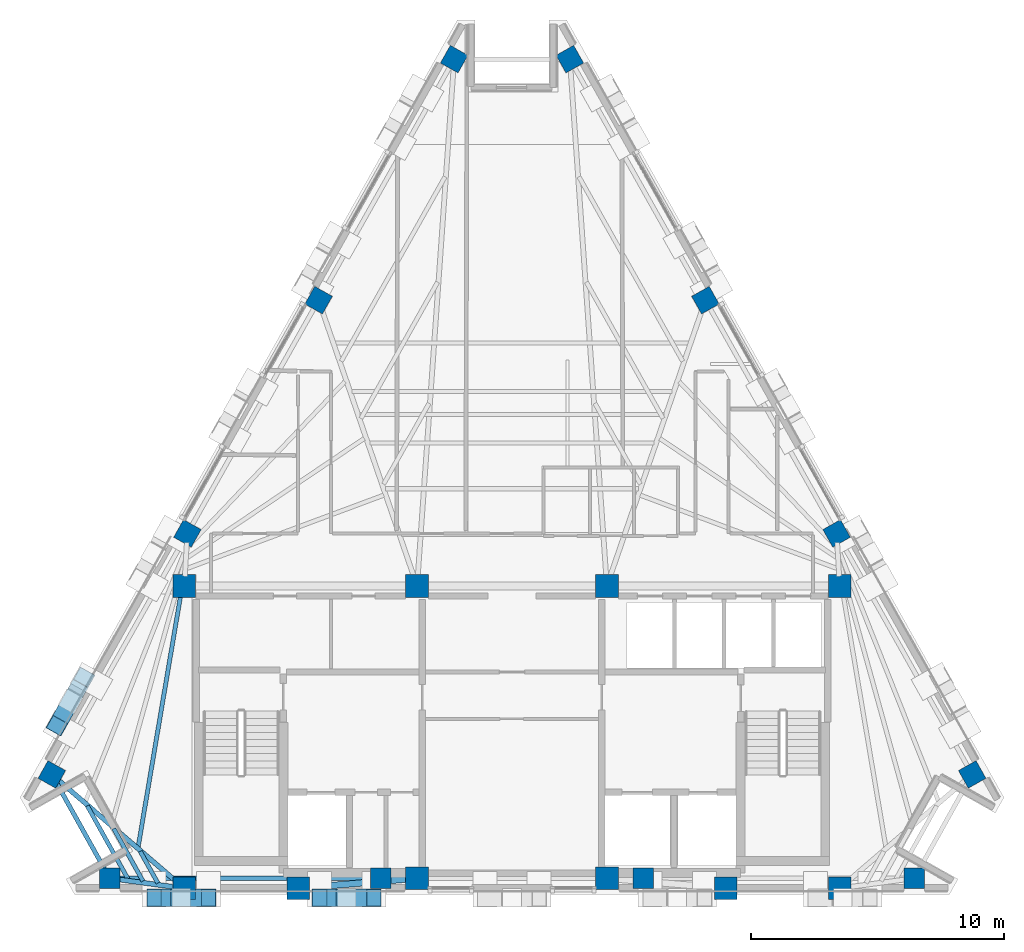
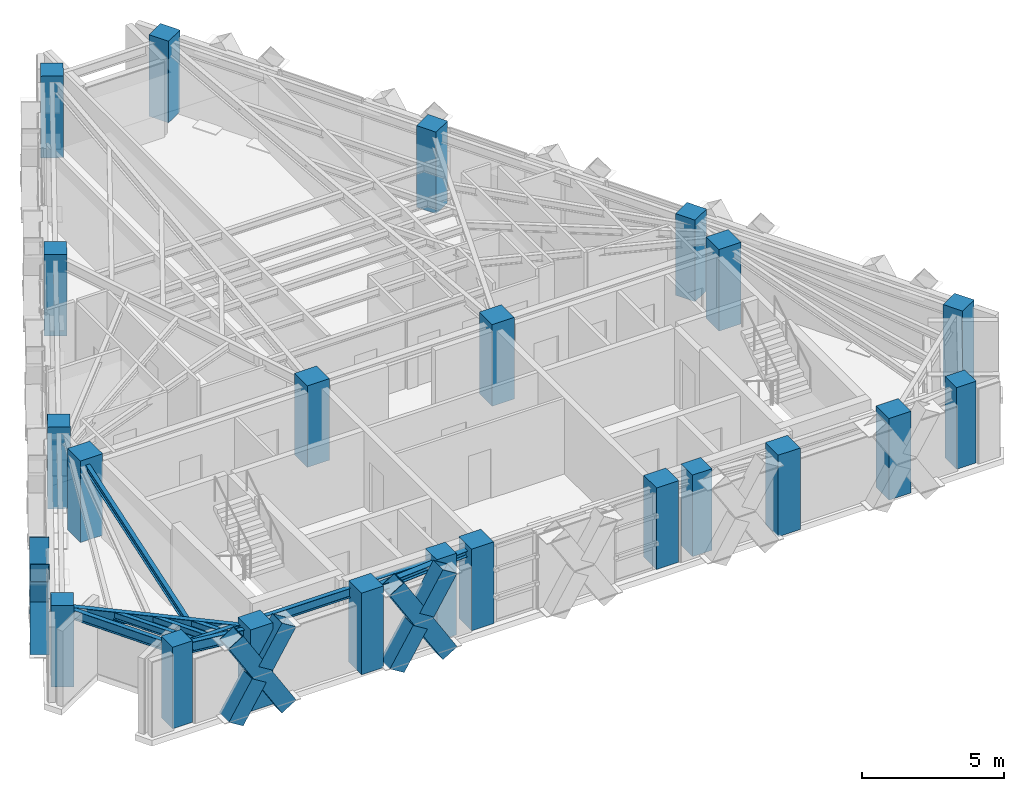
# One storey, part 1 of 10: 22 columns, 9 beams, 8 members.
"""IFC4 building model written with IfcOpenShell, lengths in metres."""

from ifc_helpers import new_model, si_unit, direction, frame, origin, origin_2d, place, context, subcontext, project, spatial, rectangle, hollow_rectangle, i_section, extrude, material, material_profile, profile_set, type_object, element, save


model = new_model("IFC4")

# Units and contexts
model_context = context("Model", 3, precision=1e-05, world=origin(), true_north=direction((0.0, 1.0)))
body_context = subcontext(model_context, "Body", "Model", "MODEL_VIEW")
ifc_project = project(units=[si_unit("LENGTHUNIT", "METRE"), si_unit("AREAUNIT", "SQUARE_METRE"), si_unit("VOLUMEUNIT", "CUBIC_METRE"), si_unit("PLANEANGLEUNIT", "RADIAN"), si_unit("MASSUNIT", "GRAM", prefix="KILO")], contexts=[model_context])

# Site, building, storey
site_placement = place(None, origin())
site = spatial("IfcSite", under=ifc_project, at=site_placement, CompositionType="ELEMENT")
building_placement = place(site_placement, origin())
building = spatial("IfcBuilding", under=site, at=building_placement, Name="Quenlor Broadcast Tower", CompositionType="ELEMENT")
storey_placement = place(building_placement, frame((0.0, 0.0, 232.39990234375)))
storey = spatial("IfcBuildingStorey", under=building, at=storey_placement, Name="L64", CompositionType="ELEMENT", Elevation=232.39990234375)

# Columns
ifc_material_1 = material(Name="Concrete C50/60", Category="concrete")
ifc_material_profile_1 = material_profile(ifc_material_1, rectangle(XDim=0.89990234375, YDim=0.89990234375, at=origin_2d()))
ifc_profile_set_1 = profile_set([ifc_material_profile_1], Name="Concrete C50/60 RC900x900")
column_type_1 = type_object("IfcColumnType", Name="Core Corner Column Upper Concrete C50/60 900", PredefinedType="COLUMN", material=ifc_profile_set_1)
for number, where, z_axis, x_axis, name in (
    (1, (-12.949951171875, -16.75, 0.0), (0.0, 0.0, 1.0), (1.0, 0.0, 0.0), "L64 Core Column CC1"),
    (2, (-8.449951171875, -16.75, 0.0), (0.0, 0.0, 1.0), (1.0, 0.0, 0.0), "L64 Core Column CC2"),
    (3, (-3.75, -16.35009765625, 0.0), (0.0, 0.0, 1.0), (1.0, 0.0, 0.0), "L64 Core Column CC3"),
    (4, (3.75, -16.35009765625, 0.0), (0.0, 0.0, 1.0), (1.0, 0.0, 0.0), "L64 Core Column CC4"),
    (5, (8.449951171875, -16.75, 0.0), (0.0, 0.0, 1.0), (1.0, 0.0, 0.0), "L64 Core Column CC5"),
    (6, (12.949951171875, -16.75, 0.0), (0.0, 0.0, 1.0), (1.0, 0.0, 0.0), "L64 Core Column CC6"),
    (7, (-12.949951171875, -4.800048828125, 0.0), (0.0, 0.0, 1.0), (1.0, 0.0, 0.0), "L64 Core Column CC7"),
    (8, (-3.75, -4.800048828125, 0.0), (0.0, 0.0, 1.0), (1.0, 0.0, 0.0), "L64 Core Column CC8"),
    (9, (3.75, -4.800048828125, 0.0), (0.0, 0.0, 1.0), (1.0, 0.0, 0.0), "L64 Core Column CC9"),
    (10, (12.949951171875, -4.800048828125, 0.0), (0.0, 0.0, 1.0), (1.0, 0.0, 0.0), "L64 Core Column CC10"),
):
    element("IfcColumn", number, at=place(storey_placement, frame(where, z_axis=z_axis, x_axis=x_axis)), inside=storey, type_object=column_type_1, Name=name, PredefinedType="COLUMN", context=body_context, shape_type="SweptSolid", body=[
        extrude(rectangle(XDim=0.89990234375, YDim=0.89990234375, at=origin_2d()), origin(), (0.0, 0.0, 1.0), 3.5),
    ])
ifc_material_2 = material(Name="Concrete C50/60", Category="concrete")
ifc_material_profile_2 = material_profile(ifc_material_2, rectangle(XDim=0.800048828125, YDim=0.800048828125, at=origin_2d()))
ifc_profile_set_2 = profile_set([ifc_material_profile_2], Name="Concrete C50/60 RC800x800")
column_type_2 = type_object("IfcColumnType", Name="Tower Perimeter Column Z5 Concrete C50/60 800", PredefinedType="COLUMN", material=ifc_profile_set_2)
for number, where, z_axis, x_axis, name in (
    (11, (-15.897705078125, -16.35009765625, 0.0), (0.0, 0.0, 1.0), (0.0, 1.0, 0.0), "L64 Perimeter Column S1"),
    (12, (-5.18408203125, -16.35009765625, 0.0), (0.0, 0.0, 1.0), (0.0, 1.0, 0.0), "L64 Perimeter Column S2"),
    (13, (5.18408203125, -16.35009765625, 0.0), (0.0, 0.0, 1.0), (0.0, 1.0, 0.0), "L64 Perimeter Column S3"),
    (14, (15.897705078125, -16.35009765625, 0.0), (0.0, 0.0, 1.0), (0.0, 1.0, 0.0), "L64 Perimeter Column S4"),
    (15, (18.182373046875, -12.25, 0.0), (0.0, 0.0, 1.0), (0.871575139605, 0.490261946333, 0.0), "L64 Perimeter Column NE1"),
    (16, (12.825439453125, -2.726806640625, 0.0), (0.0, 0.0, 1.0), (0.871575139605, 0.490261946333, 0.0), "L64 Perimeter Column NE2"),
    (17, (7.6416015625, 6.4892578125, 0.0), (0.0, 0.0, 1.0), (0.871575139605, 0.490261946333, 0.0), "L64 Perimeter Column NE3"),
    (18, (2.28466796875, 16.012451171875, 0.0), (0.0, 0.0, 1.0), (0.871575139605, 0.490261946333, 0.0), "L64 Perimeter Column NE4"),
    (19, (-2.28466796875, 16.012451171875, 0.0), (0.0, 0.0, 1.0), (-0.871575139605, 0.490261946333, 0.0), "L64 Perimeter Column NW1"),
    (20, (-7.6416015625, 6.4892578125, 0.0), (0.0, 0.0, 1.0), (-0.871575139605, 0.490261946333, 0.0), "L64 Perimeter Column NW2"),
    (21, (-12.825439453125, -2.726806640625, 0.0), (0.0, 0.0, 1.0), (-0.871575139605, 0.490261946333, 0.0), "L64 Perimeter Column NW3"),
    (22, (-18.182373046875, -12.25, 0.0), (0.0, 0.0, 1.0), (-0.871575139605, 0.490261946333, 0.0), "L64 Perimeter Column NW4"),
):
    element("IfcColumn", number, at=place(storey_placement, frame(where, z_axis=z_axis, x_axis=x_axis)), inside=storey, type_object=column_type_2, Name=name, PredefinedType="COLUMN", context=body_context, shape_type="SweptSolid", body=[
        extrude(rectangle(XDim=0.800048828125, YDim=0.800048828125, at=origin_2d()), origin(), (0.0, 0.0, 1.0), 3.5),
    ])

# Beam
ifc_material_3 = material(Name="Steel S355", Category="steel")
ifc_material_profile_3 = material_profile(ifc_material_3, i_section(OverallWidth=0.25390625, OverallDepth=0.25390625, WebThickness=0.008544921875, FlangeThickness=0.01416015625, FilletRadius=0.013916015625, at=origin_2d()))
ifc_profile_set_3 = profile_set([ifc_material_profile_3], Name="Steel S355 250UC72.9")
beam_type_1 = type_object("IfcBeamType", Name="Core Opening Lintel Beam Steel S355 250UC72.9", PredefinedType="LINTEL", material=ifc_profile_set_3)
beam_1_placement = place(storey_placement, frame((-8.09130859375, -16.719482421875, 3.123291015625), z_axis=(0.996399763903, 0.084779186679, 0.0), x_axis=(-0.084779186679, 0.996399763903, 0.0)))
element("IfcBeam", 23, at=beam_1_placement, inside=storey, type_object=beam_type_1, Name="L64 Core Opening Lintel Beam 4", PredefinedType="LINTEL", context=body_context, shape_type="SweptSolid", body=[
    extrude(i_section(OverallWidth=0.25390625, OverallDepth=0.25390625, WebThickness=0.008544921875, FlangeThickness=0.01416015625, FilletRadius=0.013916015625, at=origin_2d()), origin(), (0.0, 0.0, 1.0), 3.9970703125),
])

# Members
ifc_material_4 = material(Name="Steel S355", Category="steel")
ifc_material_profile_4 = material_profile(ifc_material_4, hollow_rectangle(XDim=0.679931640625, YDim=0.679931640625, WallThickness=0.02001953125, at=origin_2d()))
ifc_profile_set_4 = profile_set([ifc_material_profile_4], Name="Steel S355 RHS680x680x20")
member_type = type_object("IfcMemberType", Name="Perimeter Diagonal Lattice Brace Z5-Crown Steel S355 RHS680x20", PredefinedType="BRACE", material=ifc_profile_set_4)
member_1_placement = place(storey_placement, frame((-5.456298828125, -17.1201171875, -0.119873046875), z_axis=(-0.5236596973, 0.0, 0.851927532965), x_axis=(0.0, -1.0, 0.0)))
element("IfcMember", 24, at=member_1_placement, inside=storey, type_object=member_type, Name="L64 Perimeter Diamond Lattice S-C4XA", PredefinedType="BRACE", context=body_context, shape_type="SweptSolid", body=[
    extrude(hollow_rectangle(XDim=0.679931640625, YDim=0.679931640625, WallThickness=0.02001953125, at=origin_2d()), origin(), (0.0, 0.0, 1.0), 4.1083984375),
])
member_2_placement = place(storey_placement, frame((-7.607666015625, -17.1201171875, -0.119873046875), z_axis=(0.523719849356, 0.0, 0.851890555993), x_axis=(0.0, 1.0, 0.0)))
element("IfcMember", 25, at=member_2_placement, inside=storey, type_object=member_type, Name="L64 Perimeter Diamond Lattice S-C4XB1", PredefinedType="BRACE", context=body_context, shape_type="SweptSolid", body=[
    extrude(hollow_rectangle(XDim=0.679931640625, YDim=0.679931640625, WallThickness=0.02001953125, at=origin_2d()), origin(), (0.0, 0.0, 1.0), 1.803955078125),
])
member_3_placement = place(storey_placement, frame((-6.401123046875, -17.1201171875, 1.843017578125), z_axis=(0.523659478087, 0.0, 0.85192766771), x_axis=(0.0, 1.0, 0.0)))
element("IfcMember", 26, at=member_3_placement, inside=storey, type_object=member_type, Name="L64 Perimeter Diamond Lattice S-C4XB2", PredefinedType="BRACE", context=body_context, shape_type="SweptSolid", body=[
    extrude(hollow_rectangle(XDim=0.679931640625, YDim=0.679931640625, WallThickness=0.02001953125, at=origin_2d()), origin(), (0.0, 0.0, 1.0), 1.80419921875),
])
member_4_placement = place(storey_placement, frame((-11.98828125, -17.1201171875, -0.119873046875), z_axis=(-0.5236596973, 0.0, 0.851927532965), x_axis=(0.0, -1.0, 0.0)))
element("IfcMember", 27, at=member_4_placement, inside=storey, type_object=member_type, Name="L64 Perimeter Diamond Lattice S-C5XA", PredefinedType="BRACE", context=body_context, shape_type="SweptSolid", body=[
    extrude(hollow_rectangle(XDim=0.679931640625, YDim=0.679931640625, WallThickness=0.02001953125, at=origin_2d()), origin(), (0.0, 0.0, 1.0), 4.1083984375),
])
member_5_placement = place(storey_placement, frame((-14.1396484375, -17.1201171875, -0.119873046875), z_axis=(0.523719849356, 0.0, 0.851890555993), x_axis=(0.0, 1.0, 0.0)))
element("IfcMember", 28, at=member_5_placement, inside=storey, type_object=member_type, Name="L64 Perimeter Diamond Lattice S-C5XB1", PredefinedType="BRACE", context=body_context, shape_type="SweptSolid", body=[
    extrude(hollow_rectangle(XDim=0.679931640625, YDim=0.679931640625, WallThickness=0.02001953125, at=origin_2d()), origin(), (0.0, 0.0, 1.0), 1.803955078125),
])
member_6_placement = place(storey_placement, frame((-12.93310546875, -17.1201171875, 1.843017578125), z_axis=(0.523659478087, 0.0, 0.85192766771), x_axis=(0.0, 1.0, 0.0)))
element("IfcMember", 29, at=member_6_placement, inside=storey, type_object=member_type, Name="L64 Perimeter Diamond Lattice S-C5XB2", PredefinedType="BRACE", context=body_context, shape_type="SweptSolid", body=[
    extrude(hollow_rectangle(XDim=0.679931640625, YDim=0.679931640625, WallThickness=0.02001953125, at=origin_2d()), origin(), (0.0, 0.0, 1.0), 1.80419921875),
])
member_7_placement = place(storey_placement, frame((-17.982421875, -10.323974609375, -0.119873046875), z_axis=(0.260618804175, 0.463276364439, 0.847025884529), x_axis=(-0.8715547569, 0.490298180422, 0.0)))
element("IfcMember", 30, at=member_7_placement, inside=storey, type_object=member_type, Name="L64 Perimeter Diamond Lattice NW-C1XA", PredefinedType="BRACE", context=body_context, shape_type="SweptSolid", body=[
    extrude(hollow_rectangle(XDim=0.679931640625, YDim=0.679931640625, WallThickness=0.02001953125, at=origin_2d()), origin(), (0.0, 0.0, 1.0), 4.132080078125),
])
member_8_placement = place(storey_placement, frame((-17.509033203125, -9.482666015625, 1.841796875), z_axis=(-0.260656806259, -0.463240512825, 0.847033798988), x_axis=(0.871507987664, -0.490381308207, 0.0)))
element("IfcMember", 31, at=member_8_placement, inside=storey, type_object=member_type, Name="L64 Perimeter Diamond Lattice NW-C1XB2", PredefinedType="BRACE", context=body_context, shape_type="SweptSolid", body=[
    extrude(hollow_rectangle(XDim=0.679931640625, YDim=0.679931640625, WallThickness=0.02001953125, at=origin_2d()), origin(), (0.0, 0.0, 1.0), 1.816162109375),
])

# Beams
ifc_material_5 = material(Name="Steel S355", Category="steel")
ifc_material_profile_5 = material_profile(ifc_material_5, i_section(OverallWidth=0.177978515625, OverallDepth=0.406494140625, WebThickness=0.0078125, FlangeThickness=0.0126953125, FilletRadius=0.011474609375, at=origin_2d()))
ifc_profile_set_5 = profile_set([ifc_material_profile_5], Name="Steel S355 410UB59.7")
beam_type_2 = type_object("IfcBeamType", Name="Perimeter Spandrel Beam Z5 Steel S355 410UB59.7", PredefinedType="SPANDREL", material=ifc_profile_set_5)
beam_2_placement = place(storey_placement, frame((-15.53759765625, -16.35009765625, 3.046875), z_axis=(1.0, 0.0, 0.0), x_axis=(0.0, 1.0, 0.0)))
element("IfcBeam", 32, at=beam_2_placement, inside=storey, type_object=beam_type_2, Name="L64 Spandrel Beam S1-S2", PredefinedType="SPANDREL", context=body_context, shape_type="SweptSolid", body=[
    extrude(i_section(OverallWidth=0.177978515625, OverallDepth=0.406494140625, WebThickness=0.0078125, FlangeThickness=0.0126953125, FilletRadius=0.011474609375, at=origin_2d()), origin(), (0.0, 0.0, 1.0), 9.99365234375),
])
beam_3_placement = place(storey_placement, frame((-18.007080078125, -12.564453125, 3.046875), z_axis=(0.486800618374, -0.873513112638, 0.0), x_axis=(0.873513112638, 0.486800618374, 0.0)))
element("IfcBeam", 33, at=beam_3_placement, inside=storey, type_object=beam_type_2, Name="L64 Spandrel Beam NW4-S1", PredefinedType="SPANDREL", context=body_context, shape_type="SweptSolid", body=[
    extrude(i_section(OverallWidth=0.177978515625, OverallDepth=0.406494140625, WebThickness=0.0078125, FlangeThickness=0.0126953125, FilletRadius=0.011474609375, at=origin_2d()), origin(), (0.0, 0.0, 1.0), 3.9736328125),
])
ifc_material_6 = material(Name="Steel S355", Category="steel")
ifc_material_profile_6 = material_profile(ifc_material_6, i_section(OverallWidth=0.166015625, OverallDepth=0.30712890625, WebThickness=0.006591796875, FlangeThickness=0.01171875, FilletRadius=0.011474609375, at=origin_2d()))
ifc_profile_set_6 = profile_set([ifc_material_profile_6], Name="Steel S355 310UB46.2")
beam_type_3 = type_object("IfcBeamType", Name="Tower Composite Joist Z4-Z5 Steel S355 310UB46.2", PredefinedType="JOIST", material=ifc_profile_set_6)
beam_4_placement = place(storey_placement, frame((-14.76806640625, -15.09619140625, 3.096435546875), z_axis=(0.166553293246, 0.986032454085, 0.0), x_axis=(-0.986032454085, 0.166553293246, 0.0)))
element("IfcBeam", 34, at=beam_4_placement, inside=storey, type_object=beam_type_3, Name="L64 Secondary Composite Joist 13", PredefinedType="JOIST", context=body_context, shape_type="SweptSolid", body=[
    extrude(i_section(OverallWidth=0.166015625, OverallDepth=0.30712890625, WebThickness=0.006591796875, FlangeThickness=0.01171875, FilletRadius=0.011474609375, at=origin_2d()), origin(), (0.0, 0.0, 1.0), 11.097900390625),
])
beam_5_placement = place(storey_placement, frame((-13.9912109375, -16.544189453125, 3.096435546875), z_axis=(-0.486624304452, 0.873611347406, 0.0), x_axis=(-0.873611347406, -0.486624304452, 0.0)))
element("IfcBeam", 35, at=beam_5_placement, inside=storey, type_object=beam_type_3, Name="L64 Secondary Composite Joist 19", PredefinedType="JOIST", context=body_context, shape_type="SweptSolid", body=[
    extrude(i_section(OverallWidth=0.166015625, OverallDepth=0.30712890625, WebThickness=0.006591796875, FlangeThickness=0.01171875, FilletRadius=0.011474609375, at=origin_2d()), origin(), (0.0, 0.0, 1.0), 1.435791015625),
])
beam_6_placement = place(storey_placement, frame((-14.58056640625, -16.464111328125, 3.096435546875), z_axis=(-0.486820963037, 0.873501774439, 0.0), x_axis=(-0.873501774439, -0.486820963037, 0.0)))
element("IfcBeam", 36, at=beam_6_placement, inside=storey, type_object=beam_type_3, Name="L64 Secondary Composite Joist 20", PredefinedType="JOIST", context=body_context, shape_type="SweptSolid", body=[
    extrude(i_section(OverallWidth=0.166015625, OverallDepth=0.30712890625, WebThickness=0.006591796875, FlangeThickness=0.01171875, FilletRadius=0.011474609375, at=origin_2d()), origin(), (0.0, 0.0, 1.0), 2.37451171875),
])
beam_7_placement = place(storey_placement, frame((-15.170166015625, -16.384033203125, 3.096435546875), z_axis=(-0.486762404011, 0.873534408046, 0.0), x_axis=(-0.873534408046, -0.486762404011, 0.0)))
element("IfcBeam", 37, at=beam_7_placement, inside=storey, type_object=beam_type_3, Name="L64 Secondary Composite Joist 21", PredefinedType="JOIST", context=body_context, shape_type="SweptSolid", body=[
    extrude(i_section(OverallWidth=0.166015625, OverallDepth=0.30712890625, WebThickness=0.006591796875, FlangeThickness=0.01171875, FilletRadius=0.011474609375, at=origin_2d()), origin(), (0.0, 0.0, 1.0), 3.313232421875),
])
ifc_material_7 = material(Name="Steel S355", Category="steel")
ifc_material_profile_7 = material_profile(ifc_material_7, i_section(OverallWidth=0.19091796875, OverallDepth=0.46044921875, WebThickness=0.010009765625, FlangeThickness=0.01611328125, FilletRadius=0.011474609375, at=origin_2d()))
ifc_profile_set_7 = profile_set([ifc_material_profile_7], Name="Steel S355 460UB82.1")
beam_type_4 = type_object("IfcBeamType", Name="Tower Primary Floor Beam Z5 Steel S355 460UB82.1", PredefinedType="BEAM", material=ifc_profile_set_7)
beam_8_placement = place(storey_placement, frame((-15.541015625, -16.3984375, 3.02001953125), z_axis=(0.990917044125, -0.134474576267, 0.0), x_axis=(0.134474576267, 0.990917044125, 0.0)))
element("IfcBeam", 38, at=beam_8_placement, inside=storey, type_object=beam_type_4, Name="L64 Primary Radial Beam S1", PredefinedType="BEAM", context=body_context, shape_type="SweptSolid", body=[
    extrude(i_section(OverallWidth=0.19091796875, OverallDepth=0.46044921875, WebThickness=0.010009765625, FlangeThickness=0.01611328125, FilletRadius=0.011474609375, at=origin_2d()), origin(), (0.0, 0.0, 1.0), 2.23486328125),
])
beam_9_placement = place(storey_placement, frame((-17.909423828125, -12.484619140625, 3.02001953125), z_axis=(0.75817030855, -0.652056579779, 0.0), x_axis=(0.652056579779, 0.75817030855, 0.0)))
element("IfcBeam", 39, at=beam_9_placement, inside=storey, type_object=beam_type_4, Name="L64 Primary Radial Beam NW4", PredefinedType="BEAM", context=body_context, shape_type="SweptSolid", body=[
    extrude(i_section(OverallWidth=0.19091796875, OverallDepth=0.46044921875, WebThickness=0.010009765625, FlangeThickness=0.01611328125, FilletRadius=0.011474609375, at=origin_2d()), origin(), (0.0, 0.0, 1.0), 6.161376953125),
])

save(model, "model.ifc")
